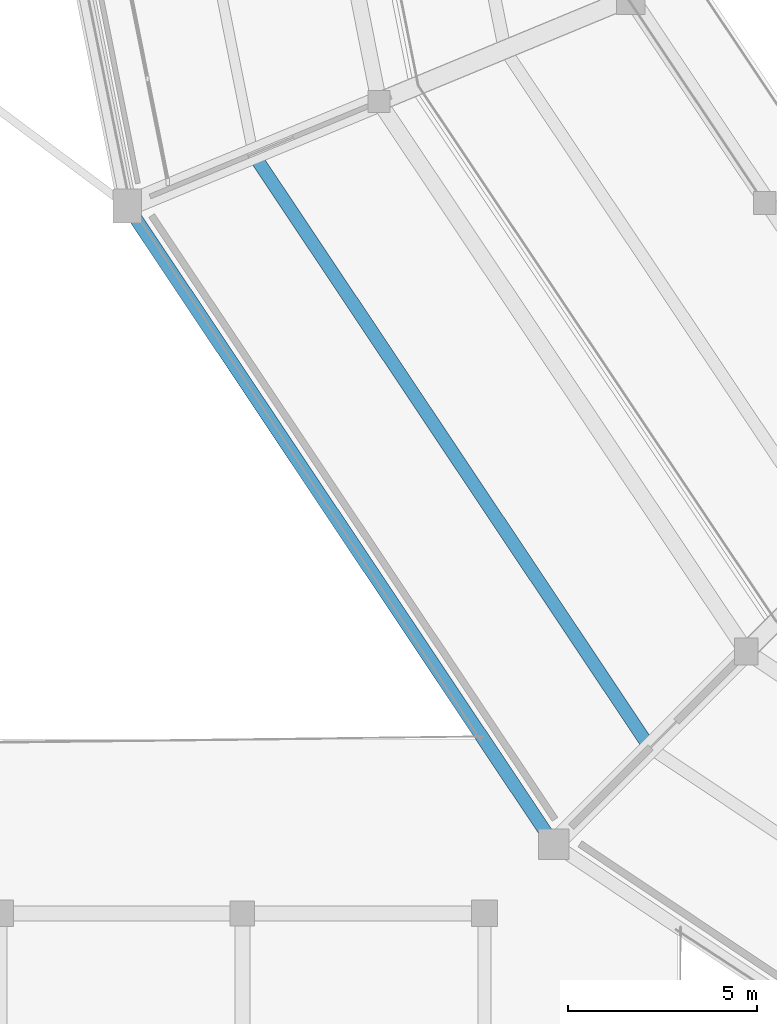
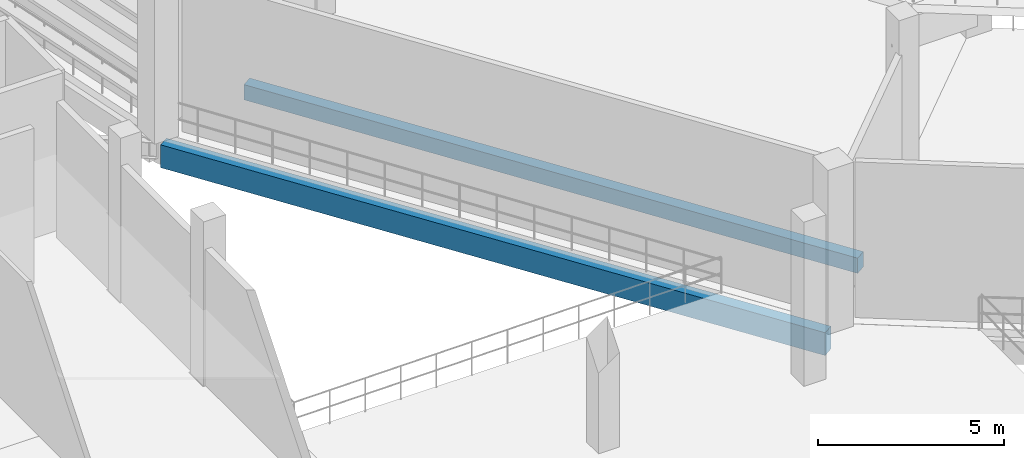
# One storey, part 17 of 127: 2 beams.
"""IFC4 building model written with IfcOpenShell, lengths in metres."""

from ifc_helpers import new_model, si_unit, direction, frame, origin, origin_2d, place, context, subcontext, project, spatial, rectangle, extrude, material, material_profile, profile_set, type_object, element, save


model = new_model("IFC4")

# Units and contexts
model_context = context("Model", 3, precision=1e-05, world=origin(), true_north=direction((0.0, 1.0)))
body_context = subcontext(model_context, "Body", "Model", "MODEL_VIEW")
ifc_project = project(units=[si_unit("LENGTHUNIT", "METRE"), si_unit("AREAUNIT", "SQUARE_METRE"), si_unit("VOLUMEUNIT", "CUBIC_METRE"), si_unit("PLANEANGLEUNIT", "RADIAN"), si_unit("MASSUNIT", "GRAM", prefix="KILO")], contexts=[model_context])

# Site, building, storey
site_placement = place(None, origin())
site = spatial("IfcSite", under=ifc_project, at=site_placement, CompositionType="ELEMENT")
building_placement = place(site_placement, origin())
building = spatial("IfcBuilding", under=site, at=building_placement, Name="Candeia Ridge Stadium", CompositionType="ELEMENT")
storey_placement = place(building_placement, frame((0.0, 0.0, 10.800048828125)))
storey = spatial("IfcBuildingStorey", under=building, at=storey_placement, Name="L02", CompositionType="ELEMENT", Elevation=10.800048828125)

# Beams
ifc_material_1 = material(Name="Concrete C40/50", Category="concrete")
ifc_material_profile_1 = material_profile(ifc_material_1, rectangle(XDim=0.35009765625, YDim=0.5, at=origin_2d()), Name="RC350x500", Category="concrete")
ifc_profile_set_1 = profile_set([ifc_material_profile_1], Name="Concrete C40/50")
beam_type_1 = type_object("IfcBeamType", Name="Floor Joist RC350x500", PredefinedType="JOIST", material=ifc_profile_set_1)
beam_1_placement = place(storey_placement, frame((26.407470703125, 52.29345703125, -0.510009765625), z_axis=(0.555573683674, -0.831467306639, 0.0), x_axis=(0.831467306639, 0.555573683674, 0.0)))
element("IfcBeam", 1, at=beam_1_placement, inside=storey, type_object=beam_type_1, Name="Concourse secondary joist BM-L02-0387", PredefinedType="JOIST", context=body_context, shape_type="SweptSolid", body=[
    extrude(rectangle(XDim=0.35009765625, YDim=0.5, at=origin_2d()), origin(), (0.0, 0.0, 1.0), 18.440673828125),
])
ifc_material_2 = material(Name="Concrete C45/55", Category="concrete")
ifc_material_profile_2 = material_profile(ifc_material_2, rectangle(XDim=0.35009765625, YDim=0.75, at=origin_2d()), Name="RC350x750", Category="concrete")
ifc_profile_set_2 = profile_set([ifc_material_profile_2], Name="Concrete C45/55")
beam_type_2 = type_object("IfcBeamType", Name="Spandrel Beam RC350x750", PredefinedType="SPANDREL", material=ifc_profile_set_2)
beam_2_placement = place(storey_placement, frame((23.047119140625, 50.967529296875, -0.635009765625), z_axis=(0.555571676938, -0.831468647505, 0.0), x_axis=(0.831468647505, 0.555571676938, 0.0)))
element("IfcBeam", 2, at=beam_2_placement, inside=storey, type_object=beam_type_2, Name="Bowl perimeter spandrel BM-L02-0385", PredefinedType="SPANDREL", context=body_context, shape_type="SweptSolid", body=[
    extrude(rectangle(XDim=0.35009765625, YDim=0.75, at=origin_2d()), origin(), (0.0, 0.0, 1.0), 19.969482421875),
])

save(model, "model.ifc")
